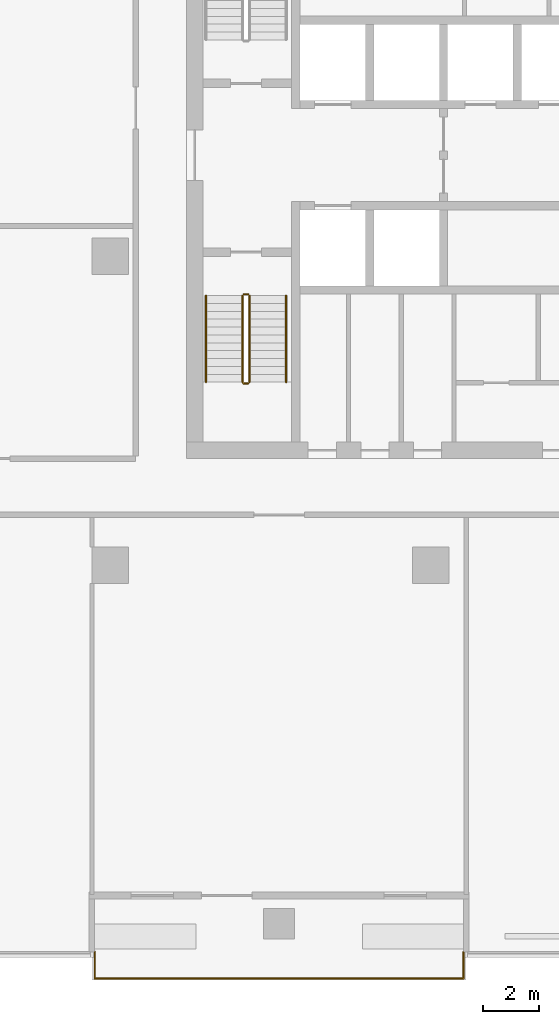
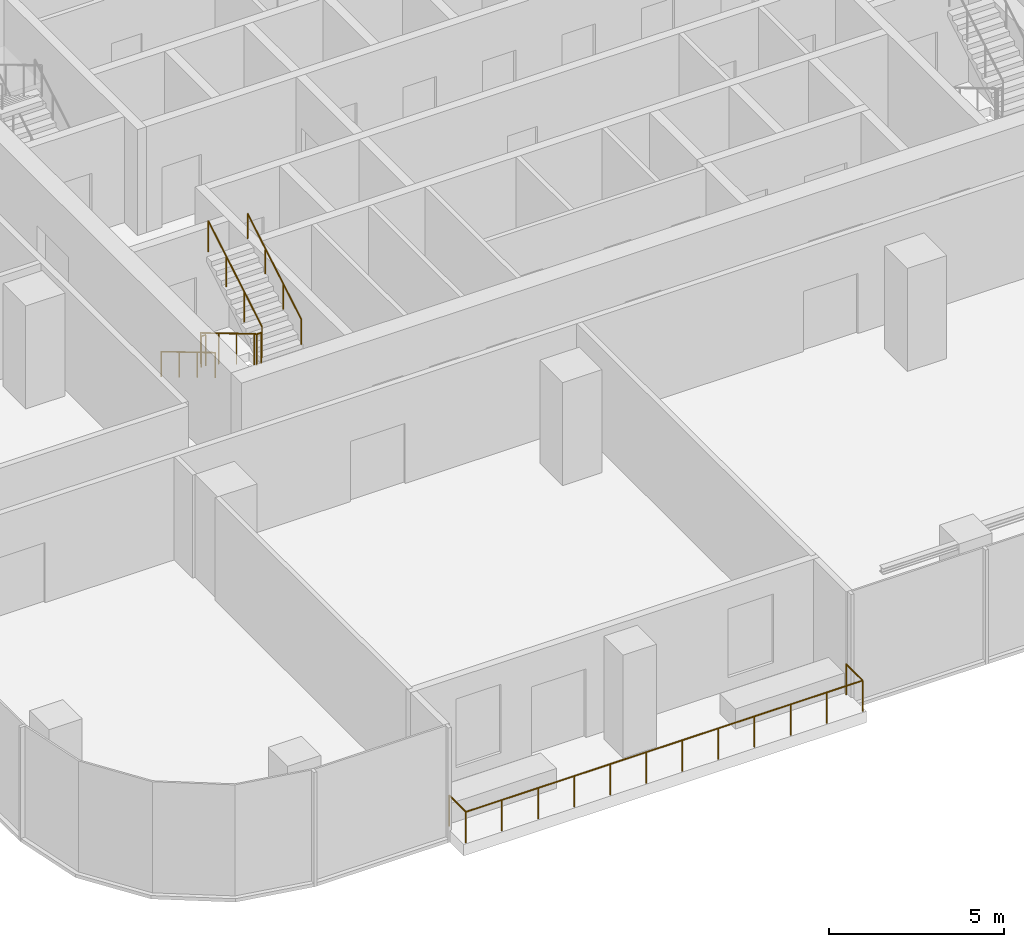
# One storey, part 11 of 14: 6 railings.
"""IFC4 building model written with IfcOpenShell, lengths in metres."""

from ifc_helpers import new_model, si_unit, direction, frame, origin, origin_2d, place, context, subcontext, project, spatial, circle, extrude, material, type_object, element, save


model = new_model("IFC4")

# Units and contexts
model_context = context("Model", 3, precision=1e-05, world=origin(), true_north=direction((0.0, 1.0)))
body_context = subcontext(model_context, "Body", "Model", "MODEL_VIEW")
ifc_project = project(units=[si_unit("LENGTHUNIT", "METRE"), si_unit("AREAUNIT", "SQUARE_METRE"), si_unit("VOLUMEUNIT", "CUBIC_METRE"), si_unit("PLANEANGLEUNIT", "RADIAN"), si_unit("MASSUNIT", "GRAM", prefix="KILO")], contexts=[model_context])

# Site, building, storey
site_placement = place(None, origin())
site = spatial("IfcSite", under=ifc_project, at=site_placement, CompositionType="ELEMENT")
building_placement = place(site_placement, origin())
building = spatial("IfcBuilding", under=site, at=building_placement, Name="Mopane Tessera Tower", CompositionType="ELEMENT")
storey_placement = place(building_placement, frame((0.0, 0.0, 231.0)))
storey = spatial("IfcBuildingStorey", under=building, at=storey_placement, Name="L49", CompositionType="ELEMENT", Elevation=231.0)

# Railings
ifc_material_1 = material(Name="Powder-coated steel balustrade", Category="steel")
railing_type_1 = type_object("IfcRailingType", Name="Escape stair guard 1100 mm", PredefinedType="GUARDRAIL", material=ifc_material_1)
railing_1_placement = place(storey_placement, frame((-12.39990234375, -1.39990234375, 0.166748046875)))
element("IfcRailing", 1, at=railing_1_placement, inside=storey, type_object=railing_type_1, Name="L49 ST1 stair guard 1", PredefinedType="GUARDRAIL", context=body_context, shape_type="SweptSolid", body=[
    extrude(circle(Radius=0.02392578125, at=origin_2d()), frame((0.0, 0.0, 1.076171875), z_axis=(0.0, -0.859308565015, 0.511457515432), x_axis=(1.0, 0.0, 0.0)), (0.0, 0.0, 1.0), 3.58447265625),
    extrude(circle(Radius=0.02392578125, at=origin_2d()), frame((0.0, -3.080078125, 2.9091796875), z_axis=(0.705375805398, -0.708833529934, 0.0), x_axis=(0.708833529934, 0.705375805398, 0.0)), (0.0, 0.0, 1.0), 0.070556640625),
    extrude(circle(Radius=0.02392578125, at=origin_2d()), frame((0.0498046875, -3.130126953125, 2.9091796875), z_axis=(1.0, 0.0, 0.0), x_axis=(0.0, 1.0, 0.0)), (0.0, 0.0, 1.0), 0.150146484375),
    extrude(circle(Radius=0.02099609375, at=origin_2d()), origin(), (0.0, 0.0, 1.0), 1.052001953125),
    extrude(circle(Radius=0.02099609375, at=origin_2d()), frame((0.0, -1.026611328125, 0.611083984375)), (0.0, 0.0, 1.0), 1.052001953125),
    extrude(circle(Radius=0.02099609375, at=origin_2d()), frame((0.0, -2.053466796875, 1.22216796875)), (0.0, 0.0, 1.0), 1.052001953125),
    extrude(circle(Radius=0.02099609375, at=origin_2d()), frame((0.0, -3.080078125, 1.833251953125)), (0.0, 0.0, 1.0), 1.052001953125),
    extrude(circle(Radius=0.02099609375, at=origin_2d()), frame((0.0498046875, -3.130126953125, 1.833251953125)), (0.0, 0.0, 1.0), 1.052001953125),
    extrude(circle(Radius=0.02099609375, at=origin_2d()), frame((0.199951171875, -3.130126953125, 1.833251953125)), (0.0, 0.0, 1.0), 1.052001953125),
])
railing_2_placement = place(storey_placement, frame((-12.14990234375, -4.47998046875, 2.166748046875)))
element("IfcRailing", 2, at=railing_2_placement, inside=storey, type_object=railing_type_1, Name="L49 ST1 stair guard 2", PredefinedType="GUARDRAIL", context=body_context, shape_type="SweptSolid", body=[
    extrude(circle(Radius=0.02392578125, at=origin_2d()), frame((0.0, 0.0, 1.076171875), z_axis=(0.0, 0.859308565015, 0.511457515432), x_axis=(-1.0, 0.0, 0.0)), (0.0, 0.0, 1.0), 3.58447265625),
    extrude(circle(Radius=0.02099609375, at=origin_2d()), origin(), (0.0, 0.0, 1.0), 1.052001953125),
    extrude(circle(Radius=0.02099609375, at=origin_2d()), frame((0.0, 1.026611328125, 0.611083984375)), (0.0, 0.0, 1.0), 1.052001953125),
    extrude(circle(Radius=0.02099609375, at=origin_2d()), frame((0.0, 2.053466796875, 1.22216796875)), (0.0, 0.0, 1.0), 1.052001953125),
    extrude(circle(Radius=0.02099609375, at=origin_2d()), frame((0.0, 3.080078125, 1.833251953125)), (0.0, 0.0, 1.0), 1.052001953125),
])
railing_3_placement = place(storey_placement, frame((-12.35009765625, -1.35009765625, 0.0)))
element("IfcRailing", 3, at=railing_3_placement, inside=storey, type_object=railing_type_1, Name="L49 ST1 stair guard 3", PredefinedType="GUARDRAIL", context=body_context, shape_type="SweptSolid", body=[
    extrude(circle(Radius=0.02392578125, at=origin_2d()), frame((0.0, 0.0, 1.076171875), z_axis=(1.0, 0.0, 0.0), x_axis=(0.0, 1.0, 0.0)), (0.0, 0.0, 1.0), 0.150146484375),
    extrude(circle(Radius=0.02099609375, at=origin_2d()), origin(), (0.0, 0.0, 1.0), 1.052001953125),
    extrude(circle(Radius=0.02099609375, at=origin_2d()), frame((0.150146484375, 0.0, 0.0)), (0.0, 0.0, 1.0), 1.052001953125),
])
ifc_material_2 = material(Name="Powder-coated steel balustrade", Category="steel")
railing_type_2 = type_object("IfcRailingType", Name="Escape stair handrail 900 mm", PredefinedType="HANDRAIL", material=ifc_material_2)
railing_4_placement = place(storey_placement, frame((-13.699951171875, -1.39990234375, 0.166748046875)))
element("IfcRailing", 4, at=railing_4_placement, inside=storey, type_object=railing_type_2, Name="L49 ST1 stair handrail 1", PredefinedType="HANDRAIL", context=body_context, shape_type="SweptSolid", body=[
    extrude(circle(Radius=0.02392578125, at=origin_2d()), frame((0.0, 0.0, 0.8759765625), z_axis=(0.0, -0.859308565015, 0.511457515432), x_axis=(1.0, 0.0, 0.0)), (0.0, 0.0, 1.0), 3.58447265625),
    extrude(circle(Radius=0.02099609375, at=origin_2d()), origin(), (0.0, 0.0, 1.0), 0.851806640625),
    extrude(circle(Radius=0.02099609375, at=origin_2d()), frame((0.0, -1.026611328125, 0.611083984375)), (0.0, 0.0, 1.0), 0.851806640625),
    extrude(circle(Radius=0.02099609375, at=origin_2d()), frame((0.0, -2.053466796875, 1.22216796875)), (0.0, 0.0, 1.0), 0.851806640625),
    extrude(circle(Radius=0.02099609375, at=origin_2d()), frame((0.0, -3.080078125, 1.833251953125)), (0.0, 0.0, 1.0), 0.851806640625),
])
railing_5_placement = place(storey_placement, frame((-10.85009765625, -4.47998046875, 2.166748046875)))
element("IfcRailing", 5, at=railing_5_placement, inside=storey, type_object=railing_type_2, Name="L49 ST1 stair handrail 2", PredefinedType="HANDRAIL", context=body_context, shape_type="SweptSolid", body=[
    extrude(circle(Radius=0.02392578125, at=origin_2d()), frame((0.0, 0.0, 0.8759765625), z_axis=(0.0, 0.859308565015, 0.511457515432), x_axis=(-1.0, 0.0, 0.0)), (0.0, 0.0, 1.0), 3.58447265625),
    extrude(circle(Radius=0.02099609375, at=origin_2d()), origin(), (0.0, 0.0, 1.0), 0.851806640625),
    extrude(circle(Radius=0.02099609375, at=origin_2d()), frame((0.0, 1.026611328125, 0.611083984375)), (0.0, 0.0, 1.0), 0.851806640625),
    extrude(circle(Radius=0.02099609375, at=origin_2d()), frame((0.0, 2.053466796875, 1.22216796875)), (0.0, 0.0, 1.0), 0.851806640625),
    extrude(circle(Radius=0.02099609375, at=origin_2d()), frame((0.0, 3.080078125, 1.833251953125)), (0.0, 0.0, 1.0), 0.851806640625),
])
ifc_material_3 = material(Name="Stainless steel S316", Category="steel")
railing_type_3 = type_object("IfcRailingType", Name="Terrace guard 1100", PredefinedType="GUARDRAIL", material=ifc_material_3)
railing_6_placement = place(storey_placement, frame((-17.659912109375, -24.75, 0.0)))
element("IfcRailing", 6, at=railing_6_placement, inside=storey, type_object=railing_type_3, Name="e:nw:L49:N1:guard", PredefinedType="GUARDRAIL", context=body_context, shape_type="SweptSolid", body=[
    extrude(circle(Radius=0.02392578125, at=origin_2d()), frame((0.0, 0.0, 1.076171875), z_axis=(0.0, -1.0, 0.0), x_axis=(1.0, 0.0, 0.0)), (0.0, 0.0, 1.0), 0.949951171875),
    extrude(circle(Radius=0.02392578125, at=origin_2d()), frame((0.0, -0.949951171875, 1.076171875), z_axis=(1.0, 0.0, 0.0), x_axis=(0.0, 1.0, 0.0)), (0.0, 0.0, 1.0), 13.119873046875),
    extrude(circle(Radius=0.02392578125, at=origin_2d()), frame((13.119873046875, -0.949951171875, 1.076171875), z_axis=(0.0, 1.0, 0.0), x_axis=(-1.0, 0.0, 0.0)), (0.0, 0.0, 1.0), 0.949951171875),
    extrude(circle(Radius=0.02099609375, at=origin_2d()), origin(), (0.0, 0.0, 1.0), 1.052001953125),
    extrude(circle(Radius=0.02099609375, at=origin_2d()), frame((0.0, -0.949951171875, 0.0)), (0.0, 0.0, 1.0), 1.052001953125),
    extrude(circle(Radius=0.02099609375, at=origin_2d()), frame((1.192626953125, -0.949951171875, 0.0)), (0.0, 0.0, 1.0), 1.052001953125),
    extrude(circle(Radius=0.02099609375, at=origin_2d()), frame((2.385498046875, -0.949951171875, 0.0)), (0.0, 0.0, 1.0), 1.052001953125),
    extrude(circle(Radius=0.02099609375, at=origin_2d()), frame((3.578125, -0.949951171875, 0.0)), (0.0, 0.0, 1.0), 1.052001953125),
    extrude(circle(Radius=0.02099609375, at=origin_2d()), frame((4.770751953125, -0.949951171875, 0.0)), (0.0, 0.0, 1.0), 1.052001953125),
    extrude(circle(Radius=0.02099609375, at=origin_2d()), frame((5.963623046875, -0.949951171875, 0.0)), (0.0, 0.0, 1.0), 1.052001953125),
    extrude(circle(Radius=0.02099609375, at=origin_2d()), frame((7.15625, -0.949951171875, 0.0)), (0.0, 0.0, 1.0), 1.052001953125),
    extrude(circle(Radius=0.02099609375, at=origin_2d()), frame((8.34912109375, -0.949951171875, 0.0)), (0.0, 0.0, 1.0), 1.052001953125),
    extrude(circle(Radius=0.02099609375, at=origin_2d()), frame((9.541748046875, -0.949951171875, 0.0)), (0.0, 0.0, 1.0), 1.052001953125),
    extrude(circle(Radius=0.02099609375, at=origin_2d()), frame((10.734375, -0.949951171875, 0.0)), (0.0, 0.0, 1.0), 1.052001953125),
    extrude(circle(Radius=0.02099609375, at=origin_2d()), frame((11.92724609375, -0.949951171875, 0.0)), (0.0, 0.0, 1.0), 1.052001953125),
    extrude(circle(Radius=0.02099609375, at=origin_2d()), frame((13.119873046875, -0.949951171875, 0.0)), (0.0, 0.0, 1.0), 1.052001953125),
    extrude(circle(Radius=0.02099609375, at=origin_2d()), frame((13.119873046875, 0.0, 0.0)), (0.0, 0.0, 1.0), 1.052001953125),
])

save(model, "model.ifc")
